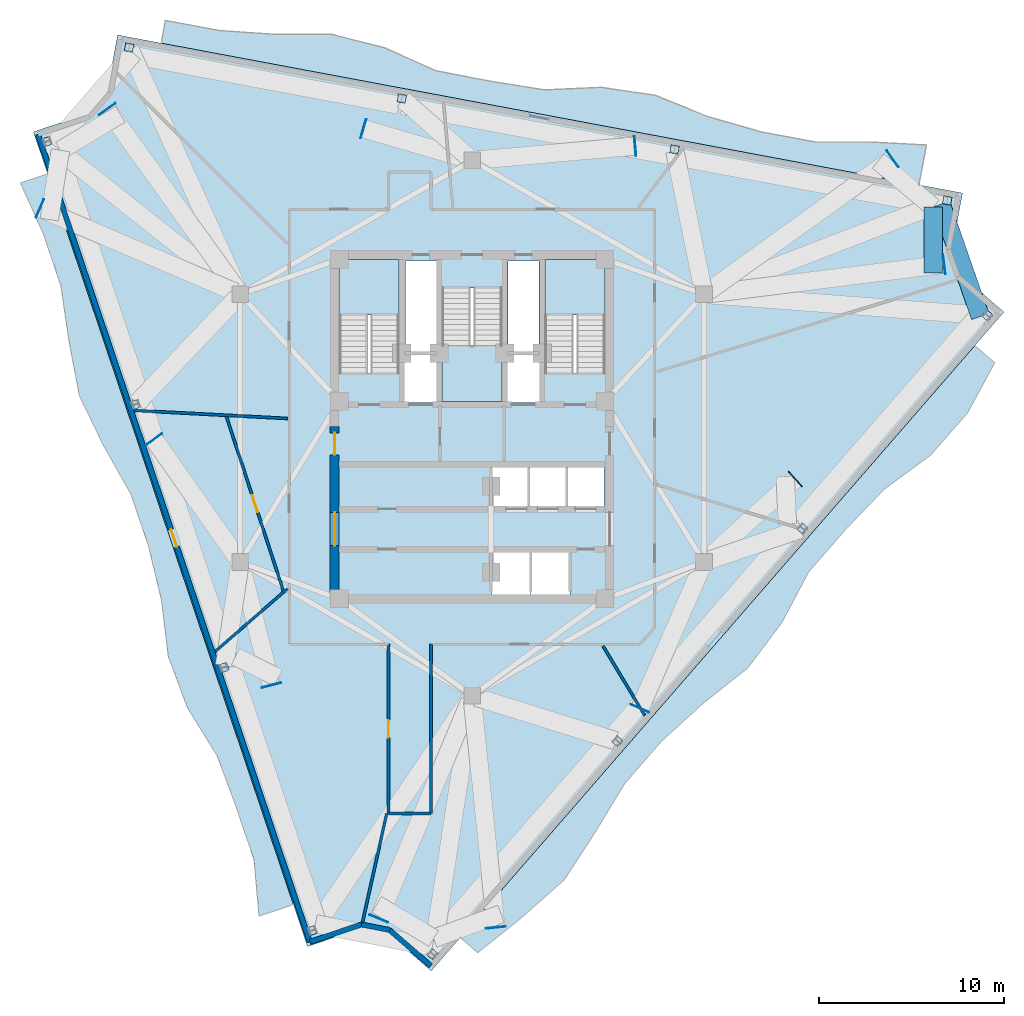
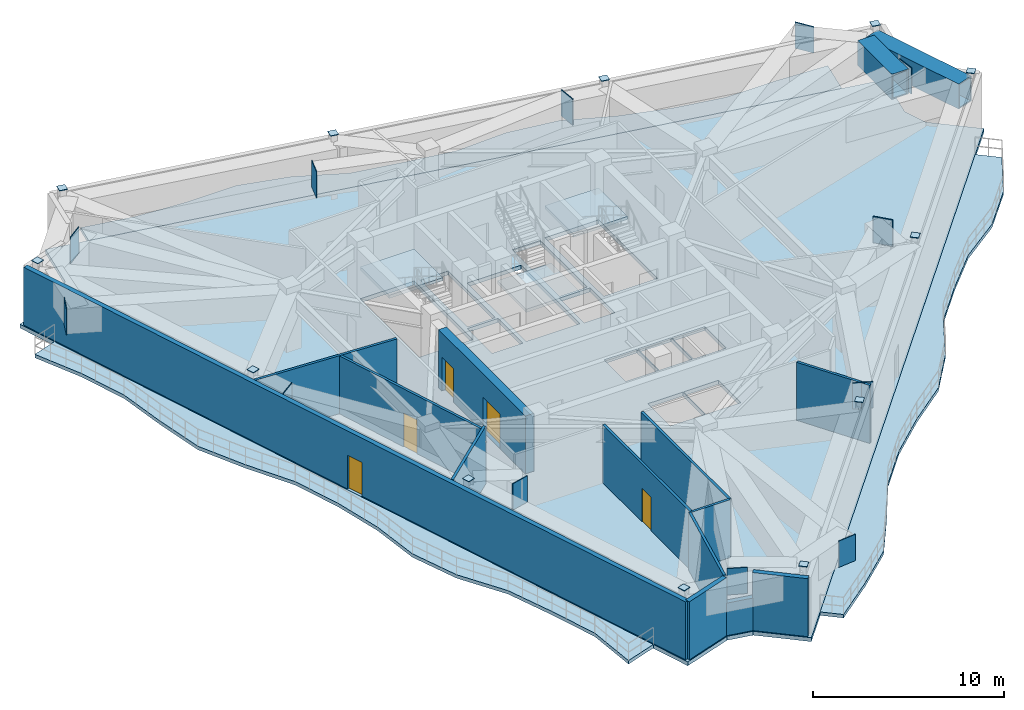
# One storey, part 4 of 10: 24 plates, 13 walls, 7 slabs, 5 doors, 2 beams, 5 openings, 3 elements without a shape of their own.
"""IFC4 building model written with IfcOpenShell, lengths in metres."""

from ifc_helpers import new_model, si_unit, direction, frame, frame_2d, origin, origin_2d, place, context, subcontext, project, spatial, polyline, rectangle, hollow_rectangle, outline, extrude, material, layer, layer_set, material_profile, profile_set, type_object, element, fill, aggregate, save


model = new_model("IFC4")

# Units and contexts
model_context = context("Model", 3, precision=1e-05, world=origin(), true_north=direction((0.0, 1.0)))
body_context = subcontext(model_context, "Body", "Model", "MODEL_VIEW")
ifc_project = project(units=[si_unit("LENGTHUNIT", "METRE"), si_unit("AREAUNIT", "SQUARE_METRE"), si_unit("VOLUMEUNIT", "CUBIC_METRE"), si_unit("PLANEANGLEUNIT", "RADIAN"), si_unit("MASSUNIT", "GRAM", prefix="KILO")], contexts=[model_context])

# Site, building, storey
site_placement = place(None, origin())
site = spatial("IfcSite", under=ifc_project, at=site_placement, CompositionType="ELEMENT")
building_placement = place(site_placement, origin())
building = spatial("IfcBuilding", under=site, at=building_placement, Name="Apsidion Concourse Tower", CompositionType="ELEMENT")
storey_placement = place(building_placement, frame((0.0, 0.0, 290.10009765625)))
storey = spatial("IfcBuildingStorey", under=building, at=storey_placement, Name="L68", CompositionType="ELEMENT", Elevation=290.10009765625)

# Beams
ifc_material_1 = material(Name="Structural steel ASTM A572 Grade 50", Category="steel")
ifc_material_profile = material_profile(ifc_material_1, hollow_rectangle(XDim=1.0, YDim=1.60009765625, WallThickness=0.074951171875, at=origin_2d()), Name="BOX1600X1000X75")
ifc_profile_set = profile_set([ifc_material_profile], Name="Structural steel ASTM A572 Grade 50")
beam_type = type_object("IfcBeamType", Name="BM-TR-1600", PredefinedType="USERDEFINED", material=ifc_profile_set)
beam_1_placement = place(storey_placement, frame((27.529296875, 6.04150390625, 2.89990234375), z_axis=(-0.329007546372, 0.944327292007, 0.0), x_axis=(-0.944327292007, -0.329007546372, 0.0)))
element("IfcBeam", 1, at=beam_1_placement, inside=storey, type_object=beam_type, Name="L68 Perimeter Spandrel Girder SP-08", ObjectType="GIRDER", PredefinedType="USERDEFINED", context=body_context, shape_type="SweptSolid", body=[
    extrude(hollow_rectangle(XDim=1.0, YDim=1.60009765625, WallThickness=0.074951171875, at=origin_2d()), origin(), (0.0, 0.0, 1.0), 6.455810546875),
])
beam_2_placement = place(storey_placement, frame((24.97119140625, 11.97119140625, 2.89990234375), z_axis=(0.000546896281, -0.999999850452, 0.0), x_axis=(0.999999850452, 0.000546896281, 0.0)))
element("IfcBeam", 2, at=beam_2_placement, inside=storey, type_object=beam_type, Name="L68 Block-Step Perimeter Transfer Bridge NBR-08", ObjectType="GIRDER", PredefinedType="USERDEFINED", context=body_context, shape_type="SweptSolid", body=[
    extrude(hollow_rectangle(XDim=1.0, YDim=1.60009765625, WallThickness=0.074951171875, at=origin_2d()), origin(), (0.0, 0.0, 1.0), 3.5712890625),
])

# Plates
ifc_layer_1 = layer(ifc_material_1, 0.034912109375)
ifc_layer_set_1 = layer_set([ifc_layer_1], Name="Structural steel ASTM A572 Grade 50")
plate_type = type_object("IfcPlateType", Name="PL-ENDCAP-35", PredefinedType="USERDEFINED", material=ifc_layer_set_1)
for number, where, z_axis, x_axis, name in (
    (3, (-23.00439453125, 15.53125, 4.097900390625), (0.0, 0.0, 1.0), (-0.318628456287, 0.947879690069, 0.0), "L68 Step-Top Column End-Cap Plate PCCAP-PC01"),
    (4, (-18.215087890625, 1.285888671875, 4.097900390625), (0.0, 0.0, 1.0), (-0.318628456287, 0.947879690069, 0.0), "L68 Step-Top Column End-Cap Plate PCCAP-PC02"),
    (5, (-13.42578125, -12.959228515625, 4.097900390625), (0.0, 0.0, 1.0), (-0.318628456287, 0.947879690069, 0.0), "L68 Step-Top Column End-Cap Plate PCCAP-PC03"),
    (6, (-8.636474609375, -27.20458984375, 4.097900390625), (0.0, 0.0, 1.0), (-0.318628456287, 0.947879690069, 0.0), "L68 Step-Top Column End-Cap Plate PCCAP-PC04"),
    (7, (-2.146728515625, -28.490478515625, 4.097900390625), (0.0, 0.0, 1.0), (0.656059028991, 0.754709580223, 0.0), "L68 Step-Top Column End-Cap Plate PCCAP-PC05"),
    (8, (7.87353515625, -16.96337890625, 4.097900390625), (0.0, 0.0, 1.0), (0.656059028991, 0.754709580223, 0.0), "L68 Step-Top Column End-Cap Plate PCCAP-PC06"),
    (9, (17.89404296875, -5.436279296875, 4.097900390625), (0.0, 0.0, 1.0), (0.656059028991, 0.754709580223, 0.0), "L68 Step-Top Column End-Cap Plate PCCAP-PC07"),
    (10, (27.91455078125, 6.091064453125, 4.097900390625), (0.0, 0.0, 1.0), (0.656059028991, 0.754709580223, 0.0), "L68 Step-Top Column End-Cap Plate PCCAP-PC08"),
    (11, (25.73779296875, 12.33837890625, 4.097900390625), (0.0, 0.0, 1.0), (-0.982999500399, 0.183608230249, 0.0), "L68 Step-Top Column End-Cap Plate PCCAP-PC09"),
    (12, (10.964599609375, 15.0986328125, 4.097900390625), (0.0, 0.0, 1.0), (-0.982999500399, 0.183608230249, 0.0), "L68 Step-Top Column End-Cap Plate PCCAP-PC10"),
    (13, (-3.80859375, 17.85888671875, 4.097900390625), (0.0, 0.0, 1.0), (-0.982999500399, 0.183608230249, 0.0), "L68 Step-Top Column End-Cap Plate PCCAP-PC11"),
    (14, (-18.58154296875, 20.619140625, 4.097900390625), (0.0, 0.0, 1.0), (-0.982999500399, 0.183608230249, 0.0), "L68 Step-Top Column End-Cap Plate PCCAP-PC12"),
):
    element("IfcPlate", number, at=place(storey_placement, frame(where, z_axis=z_axis, x_axis=x_axis)), inside=storey, type_object=plate_type, Name=name, ObjectType="FLANGE_PLATE", PredefinedType="USERDEFINED", context=body_context, shape_type="SweptSolid", body=[
        extrude(rectangle(XDim=0.452880859375, YDim=0.452880859375, at=origin_2d()), origin(), (0.0, 0.0, 1.0), 0.0400390625),
    ])
for number, where, z_axis, x_axis, name in (
    (15, (-23.41162109375, 11.903564453125, 2.06005859375), (0.0, 0.0, 1.0), (-0.919066569423, 0.394102322969, 0.0), "L68 Radial Transfer Girder End-Cap Plate NTRCAP-01"),
    (16, (-17.23095703125, -0.60205078125, 2.06005859375), (0.0, 0.0, 1.0), (-0.574862449223, 0.818250062312, 0.0), "L68 Radial Transfer Girder End-Cap Plate NTRCAP-02"),
    (17, (-10.87548828125, -13.921630859375, 2.06005859375), (0.0, 0.0, 1.0), (0.244799751878, -0.969573659647, 0.0), "L68 Radial Transfer Girder End-Cap Plate NTRCAP-03"),
    (18, (-5.0537109375, -26.566162109375, 2.06005859375), (0.0, 0.0, 1.0), (-0.386389029217, -0.922335903075, 0.0), "L68 Radial Transfer Girder End-Cap Plate NTRCAP-04"),
    (19, (1.29150390625, -27.048095703125, 2.06005859375), (0.0, 0.0, 1.0), (0.102445313747, -0.99473863788, 0.0), "L68 Radial Transfer Girder End-Cap Plate NTRCAP-05"),
    (20, (9.091552734375, -15.180908203125, 2.06005859375), (0.0, 0.0, 1.0), (-0.400668879095, -0.916222925562, 0.0), "L68 Radial Transfer Girder End-Cap Plate NTRCAP-06"),
    (21, (17.49609375, -2.758056640625, 2.06005859375), (0.0, 0.0, 1.0), (0.739631094979, 0.67301251351, 0.0), "L68 Radial Transfer Girder End-Cap Plate NTRCAP-07"),
    (22, (25.57421875, 8.878173828125, 2.06005859375), (0.0, 0.0, 1.0), (0.99226708428, 0.124121043561, 0.0), "L68 Radial Transfer Girder End-Cap Plate NTRCAP-08"),
    (23, (22.77587890625, 14.593505859375, 2.06005859375), (0.0, 0.0, 1.0), (0.811981667369, 0.583682937781, 0.0), "L68 Radial Transfer Girder End-Cap Plate NTRCAP-09"),
    (24, (8.8359375, 15.281005859375, 2.06005859375), (0.0, 0.0, 1.0), (0.996118261045, 0.088025053325, 0.0), "L68 Radial Transfer Girder End-Cap Plate NTRCAP-10"),
    (25, (-5.891357421875, 16.2216796875, 2.06005859375), (0.0, 0.0, 1.0), (-0.959854262938, 0.280499187022, 0.0), "L68 Radial Transfer Girder End-Cap Plate NTRCAP-11"),
    (26, (-19.76025390625, 17.287353515625, 2.06005859375), (0.0, 0.0, 1.0), (-0.582832312683, 0.812592453382, 0.0), "L68 Radial Transfer Girder End-Cap Plate NTRCAP-12"),
):
    element("IfcPlate", number, at=place(storey_placement, frame(where, z_axis=z_axis, x_axis=x_axis)), inside=storey, type_object=plate_type, Name=name, ObjectType="FLANGE_PLATE", PredefinedType="USERDEFINED", context=body_context, shape_type="SweptSolid", body=[
        extrude(rectangle(XDim=0.044921875, YDim=1.080078125, at=origin_2d()), origin(), (0.0, 0.0, 1.0), 1.679931640625),
    ])

# Slabs
ifc_material_2 = material(Name="Concrete C50/60", Category="concrete")
ifc_layer_2 = layer(ifc_material_2, 0.219970703125)
ifc_layer_set_2 = layer_set([ifc_layer_2], Name="Concrete C50/60")
slab_type_1 = type_object("IfcSlabType", Name="SL-BAL-220", PredefinedType="FLOOR", material=ifc_layer_set_2)
slab_1_placement = place(storey_placement, frame((0.0, 0.0, -0.22021484375)))
element("IfcSlab", 27, at=slab_1_placement, inside=storey, type_object=slab_type_1, Name="L68 Face 1 Rippling Balcony Slab", PredefinedType="FLOOR", context=body_context, shape_type="SweptSolid", body=[
    extrude(outline(polyline([(-22.99951171875, 13.775390625), (-22.048095703125, 10.947998046875), (-21.096923828125, 8.12060546875), (-20.1455078125, 5.29345703125), (-19.1943359375, 2.466064453125), (-18.242919921875, -0.361083984375), (-17.291748046875, -3.1884765625), (-16.340576171875, -6.015869140625), (-15.38916015625, -8.843017578125), (-14.43798828125, -11.67041015625), (-13.486572265625, -14.49755859375), (-12.535400390625, -17.324951171875), (-11.583984375, -20.152099609375), (-10.6328125, -22.9794921875), (-9.681396484375, -25.806884765625), (-11.543701171875, -26.433349609375), (-11.817626953125, -23.378173828125), (-12.768798828125, -20.55078125), (-13.810791015625, -17.754150390625), (-15.419189453125, -15.14794921875), (-16.4609375, -12.35107421875), (-16.825439453125, -9.326416015625), (-17.525146484375, -6.414306640625), (-18.4765625, -3.587158203125), (-19.966796875, -0.941162109375), (-21.279296875, 1.7646484375), (-21.839111328125, 4.7236328125), (-22.281494140625, 7.72216796875), (-23.23291015625, 10.54931640625), (-24.468505859375, 13.281005859375), (-22.99951171875, 13.775390625)])), origin(), (0.0, 0.0, 1.0), 0.22021484375),
])
slab_2_placement = place(storey_placement, frame((0.0, 0.0, -0.22021484375)))
element("IfcSlab", 28, at=slab_2_placement, inside=storey, type_object=slab_type_1, Name="L68 Face 2 Rippling Balcony Slab", PredefinedType="FLOOR", context=body_context, shape_type="SweptSolid", body=[
    extrude(outline(polyline([(-0.6416015625, -27.59716796875), (1.35009765625, -25.30615234375), (3.341552734375, -23.01513671875), (5.3330078125, -20.724365234375), (7.324462890625, -18.433349609375), (9.31591796875, -16.142333984375), (11.307373046875, -13.8515625), (13.298828125, -11.560546875), (15.290283203125, -9.26953125), (17.281982421875, -6.978759765625), (19.273193359375, -4.687744140625), (21.264892578125, -2.396728515625), (23.25634765625, -0.10595703125), (25.247802734375, 2.18505859375), (27.2392578125, 4.47607421875), (28.31396484375, 3.5419921875), (26.82958984375, 0.81005859375), (24.825927734375, -1.47021484375), (22.318359375, -3.3125), (20.216796875, -5.5078125), (18.22509765625, -7.798828125), (16.766357421875, -10.552490234375), (14.93798828125, -12.985595703125), (12.518310546875, -14.904052734375), (10.25927734375, -16.96240234375), (8.267822265625, -19.25341796875), (6.67138671875, -21.8876953125), (5.001708984375, -24.45849609375), (2.7138671875, -26.49169921875), (0.302001953125, -28.417236328125), (-0.6416015625, -27.59716796875)])), origin(), (0.0, 0.0, 1.0), 0.22021484375),
])
slab_3_placement = place(storey_placement, frame((0.0, 0.0, -0.22021484375)))
element("IfcSlab", 29, at=slab_3_placement, inside=storey, type_object=slab_type_1, Name="L68 Face 3 Rippling Balcony Slab", PredefinedType="FLOOR", context=body_context, shape_type="SweptSolid", body=[
    extrude(outline(polyline([(24.208251953125, 13.178955078125), (21.276123046875, 13.7275390625), (18.343994140625, 14.27587890625), (15.41162109375, 14.824462890625), (12.4794921875, 15.373046875), (9.54736328125, 15.921630859375), (6.615234375, 16.47021484375), (3.68310546875, 17.018798828125), (0.750732421875, 17.567138671875), (-2.181396484375, 18.11572265625), (-5.113525390625, 18.664306640625), (-8.045654296875, 19.212890625), (-10.977783203125, 19.761474609375), (-13.91015625, 20.309814453125), (-16.84228515625, 20.8583984375), (-16.6123046875, 22.087158203125), (-13.68017578125, 21.53857421875), (-10.683349609375, 21.3359375), (-7.647216796875, 21.343017578125), (-4.749755859375, 20.608642578125), (-1.948486328125, 19.35986328125), (0.980712890625, 18.7958984375), (3.927490234375, 18.325439453125), (6.988037109375, 18.463134765625), (9.941162109375, 18.027099609375), (12.761474609375, 16.879638671875), (15.6416015625, 16.05322265625), (18.57373046875, 15.504638671875), (21.607421875, 15.49951171875), (24.61279296875, 15.34130859375), (24.208251953125, 13.178955078125)])), origin(), (0.0, 0.0, 1.0), 0.22021484375),
])
ifc_layer_3 = layer(ifc_material_2, 0.25)
ifc_layer_set_3 = layer_set([ifc_layer_3], Name="Concrete C50/60")
slab_type_2 = type_object("IfcSlabType", Name="SL-FLR-250", PredefinedType="FLOOR", material=ifc_layer_set_3)
slab_4_placement = place(storey_placement, frame((0.0, 0.0, -0.25)))
element("IfcSlab", 30, at=slab_4_placement, inside=storey, type_object=slab_type_2, Name="L68 Structural Floor Slab", PredefinedType="FLOOR", context=body_context, shape_type="SweptSolid", body=[
    extrude(outline(polyline([(-19.201416015625, 21.2998046875), (-19.771484375, 18.251220703125), (-20.825439453125, 17.0390625), (-23.764892578125, 16.050048828125), (-8.916015625, -28.08154296875), (-5.976806640625, -27.092529296875), (-4.556640625, -27.373779296875), (-2.216064453125, -29.408447265625), (28.813720703125, 6.287353515625), (26.47314453125, 8.322021484375), (25.9970703125, 9.689208984375), (26.5673828125, 12.737548828125), (-19.201416015625, 21.2998046875)]), holes=[polyline([(-3.949951171875, 3.0), (-3.949951171875, 9.14990234375), (-7.199951171875, 9.14990234375), (-7.199951171875, 3.0), (-3.949951171875, 3.0)]), polyline([(7.199951171875, 3.0), (7.199951171875, 9.14990234375), (3.949951171875, 9.14990234375), (3.949951171875, 3.0), (7.199951171875, 3.0)]), polyline([(-1.625, 7.60009765625), (-1.625, 1.449951171875), (1.625, 1.449951171875), (1.625, 7.60009765625), (-1.625, 7.60009765625)]), polyline([(1.054931640625, -4.300048828125), (3.044921875, -4.300048828125), (3.044921875, -2.050048828125), (1.054931640625, -2.050048828125), (1.054931640625, -4.300048828125)]), polyline([(3.10498046875, -4.300048828125), (5.094970703125, -4.300048828125), (5.094970703125, -2.050048828125), (3.10498046875, -2.050048828125), (3.10498046875, -4.300048828125)]), polyline([(5.155029296875, -4.300048828125), (7.14501953125, -4.300048828125), (7.14501953125, -2.050048828125), (5.155029296875, -2.050048828125), (5.155029296875, -4.300048828125)]), polyline([(1.044921875, -9.0), (3.155029296875, -9.0), (3.155029296875, -6.64990234375), (1.044921875, -6.64990234375), (1.044921875, -9.0)]), polyline([(3.195068359375, -9.0), (5.304931640625, -9.0), (5.304931640625, -6.64990234375), (3.195068359375, -6.64990234375), (3.195068359375, -9.0)]), polyline([(-3.7099609375, 1.39990234375), (-1.85009765625, 1.39990234375), (-1.85009765625, 4.0), (-3.7099609375, 4.0), (-3.7099609375, 1.39990234375)]), polyline([(1.85009765625, 1.39990234375), (3.7099609375, 1.39990234375), (3.7099609375, 4.0), (1.85009765625, 4.0), (1.85009765625, 1.39990234375)]), polyline([(-3.6201171875, 4.14990234375), (-1.93994140625, 4.14990234375), (-1.93994140625, 9.050048828125), (-3.6201171875, 9.050048828125), (-3.6201171875, 4.14990234375)]), polyline([(1.93994140625, 4.14990234375), (3.6201171875, 4.14990234375), (3.6201171875, 9.050048828125), (1.93994140625, 9.050048828125), (1.93994140625, 4.14990234375)])]), origin(), (0.0, 0.0, 1.0), 0.25),
])

# Stair, slab
ifc_material_3 = material(Name="Precast concrete C40/50", Category="concrete")
stair_type = type_object("IfcStairType", Name="ST-DL-1550", PredefinedType="HALF_TURN_STAIR", material=ifc_material_3)
stair_1_placement = place(storey_placement, origin())
stair_1 = element("IfcStair", 31, at=stair_1_placement, inside=storey, type_object=stair_type, Name="L68 Protected Core Exit Stair ST1", PredefinedType="HALF_TURN_STAIR")
ifc_layer_4 = layer(ifc_material_2, 0.199951171875)
ifc_layer_set_4 = layer_set([ifc_layer_4], Name="Concrete C50/60")
slab_type_3 = type_object("IfcSlabType", Name="SL-ST-LAND-200", PredefinedType="LANDING", material=ifc_layer_set_4)
slab_5_placement = place(storey_placement, frame((0.0, 0.0, 1.849853515625)))
slab_5 = element("IfcSlab", 32, at=slab_5_placement, type_object=slab_type_3, Name="ST1 landing 1", PredefinedType="LANDING", context=body_context, shape_type="SweptSolid", body=[
    extrude(outline(polyline([(-3.949951171875, 6.135009765625), (-3.949951171875, 9.14990234375), (-7.199951171875, 9.14990234375), (-7.199951171875, 6.135009765625), (-3.949951171875, 6.135009765625)])), origin(), (0.0, 0.0, 1.0), 0.199951171875),
])
aggregate(stair_1, [slab_5])

stair_2_placement = place(storey_placement, origin())
stair_2 = element("IfcStair", 33, at=stair_2_placement, inside=storey, type_object=stair_type, Name="L68 Protected Core Exit Stair ST2", PredefinedType="HALF_TURN_STAIR")
slab_6_placement = place(storey_placement, frame((0.0, 0.0, 1.849853515625)))
slab_6 = element("IfcSlab", 34, at=slab_6_placement, type_object=slab_type_3, Name="ST2 landing 1", PredefinedType="LANDING", context=body_context, shape_type="SweptSolid", body=[
    extrude(outline(polyline([(7.199951171875, 6.135009765625), (7.199951171875, 9.14990234375), (3.949951171875, 9.14990234375), (3.949951171875, 6.135009765625), (7.199951171875, 6.135009765625)])), origin(), (0.0, 0.0, 1.0), 0.199951171875),
])
aggregate(stair_2, [slab_6])

stair_3_placement = place(storey_placement, origin())
stair_3 = element("IfcStair", 35, at=stair_3_placement, inside=storey, type_object=stair_type, Name="L68 Protected Core Exit Stair ST3", PredefinedType="HALF_TURN_STAIR")
slab_7_placement = place(storey_placement, frame((0.0, 0.0, 1.849853515625)))
slab_7 = element("IfcSlab", 36, at=slab_7_placement, type_object=slab_type_3, Name="ST3 landing 1", PredefinedType="LANDING", context=body_context, shape_type="SweptSolid", body=[
    extrude(outline(polyline([(-1.625, 4.465087890625), (-1.625, 1.449951171875), (1.625, 1.449951171875), (1.625, 4.465087890625), (-1.625, 4.465087890625)])), origin(), (0.0, 0.0, 1.0), 0.199951171875),
])
aggregate(stair_3, [slab_7])

# Walls
ifc_layer_5 = layer(ifc_material_3, 0.280029296875)
ifc_layer_set_5 = layer_set([ifc_layer_5], Name="Precast concrete C40/50")
wall_type_1 = type_object("IfcWallType", Name="WL-EXT-280", PredefinedType="STANDARD", material=ifc_layer_set_5)
wall_1_placement = place(storey_placement, frame((-2.235595703125, -29.126220703125, 0.0), z_axis=(0.0, 0.0, 1.0), x_axis=(-0.754753154029, 0.656008899698, 0.0)))
element("IfcWall", 37, at=wall_1_placement, inside=storey, type_object=wall_type_1, Name="L68 Precast Stone Facade Wall 06", PredefinedType="STANDARD", context=body_context, shape_type="SweptSolid", body=[
    extrude(rectangle(XDim=2.95458984375, YDim=0.280029296875, at=frame_2d((1.477294921875, 0.0))), origin(), (0.0, 0.0, 1.0), 3.699951171875),
])
wall_2_placement = place(storey_placement, frame((-4.465576171875, -27.18798828125, 0.0), z_axis=(0.0, 0.0, 1.0), x_axis=(-0.980935552899, 0.194333324621, 0.0)))
element("IfcWall", 38, at=wall_2_placement, inside=storey, type_object=wall_type_1, Name="L68 Precast Stone Facade Wall 07", PredefinedType="STANDARD", context=body_context, shape_type="SweptSolid", body=[
    extrude(rectangle(XDim=1.553955078125, YDim=0.280029296875, at=frame_2d((0.77685546875, 0.0))), origin(), (0.0, 0.0, 1.0), 2.079833984375),
])
wall_3_placement = place(storey_placement, frame((-5.989990234375, -26.885986328125, 0.0), z_axis=(0.0, 0.0, 1.0), x_axis=(-0.947795421507, -0.318879035013, 0.0)))
element("IfcWall", 39, at=wall_3_placement, inside=storey, type_object=wall_type_1, Name="L68 Precast Stone Facade Wall 08", PredefinedType="STANDARD", context=body_context, shape_type="SweptSolid", body=[
    extrude(rectangle(XDim=2.95458984375, YDim=0.280029296875, at=frame_2d((1.477294921875, 0.0))), origin(), (0.0, 0.0, 1.0), 3.699951171875),
])

# Wall, opening, door
wall_4_placement = place(storey_placement, frame((-8.790283203125, -27.828125, 0.0), z_axis=(0.0, 0.0, 1.0), x_axis=(-0.318898365887, 0.947788917552, 0.0)))
wall_4 = element("IfcWall", 40, at=wall_4_placement, inside=storey, type_object=wall_type_1, Name="L68 Precast Stone Facade Wall 09", PredefinedType="STANDARD", context=body_context, shape_type="SweptSolid", body=[
    extrude(rectangle(XDim=46.16259765625, YDim=0.280029296875, at=frame_2d((23.081298828125, 0.0))), origin(), (0.0, 0.0, 1.0), 3.699951171875),
])
opening_1_placement = place(wall_4_placement, frame((22.581298828125, 0.0, 0.0)))
opening_1 = element("IfcOpeningElement", 41, at=opening_1_placement, cuts=wall_4, Name="Opening D-T1L", PredefinedType="OPENING", context=body_context, shape_type="SweptSolid", body=[
    extrude(rectangle(XDim=1.0, YDim=2.14990234375, at=frame_2d((0.5, 1.074951171875))), frame((0.0, 0.14990234375, 0.0), z_axis=(0.0, -1.0, 0.0), x_axis=(1.0, 0.0, 0.0)), (0.0, 0.0, 1.0), 0.300048828125),
])
ifc_material_4 = material(Name="Anodised aluminium EN AW-6063 T6", Category="aluminium")
door_type_1 = type_object("IfcDoorType", Name="DR-TER-1022L", OperationType="SINGLE_SWING_LEFT", PredefinedType="DOOR", material=ifc_material_4)
door_1_placement = place(opening_1_placement, origin())
door_1 = element("IfcDoor", 42, at=door_1_placement, inside=storey, type_object=door_type_1, Name="L68 Balcony Access Door 1", OperationType="SINGLE_SWING_LEFT", OverallHeight=2.14990234375, OverallWidth=1.0, PredefinedType="DOOR", context=body_context, shape_type="SweptSolid", body=[
    extrude(rectangle(XDim=1.0, YDim=2.14990234375, at=frame_2d((0.5, 1.074951171875))), frame((0.0, 0.02490234375, 0.0), z_axis=(0.0, -1.0, 0.0), x_axis=(1.0, 0.0, 0.0)), (0.0, 0.0, 1.0), 0.050048828125),
])
fill(opening_1, door_1)

# Walls
ifc_material_5 = material(Name="Gypsum plasterboard partition")
ifc_layer_6 = layer(ifc_material_5, 0.14990234375)
ifc_layer_set_6 = layer_set([ifc_layer_6], Name="Gypsum plasterboard partition")
wall_type_2 = type_object("IfcWallType", Name="WL-INT-PAR-150", PredefinedType="PARTITIONING", material=ifc_layer_set_6)
wall_5_placement = place(storey_placement, frame((-2.219970703125, -11.699951171875, 0.0), z_axis=(0.0, 0.0, 1.0), x_axis=(0.0, -1.0, 0.0)))
element("IfcWall", 43, at=wall_5_placement, inside=storey, type_object=wall_type_2, Name="L68 Interior Partition WL-L68-CORR-11", PredefinedType="PARTITIONING", context=body_context, shape_type="SweptSolid", body=[
    extrude(rectangle(XDim=9.179931640625, YDim=0.14990234375, at=frame_2d((4.58984375, 0.0))), origin(), (0.0, 0.0, 1.0), 3.699951171875),
])
wall_6_placement = place(storey_placement, frame((-2.219970703125, -20.8798828125, 0.0), z_axis=(0.0, 0.0, 1.0), x_axis=(-1.0, 0.0, 0.0)))
element("IfcWall", 44, at=wall_6_placement, inside=storey, type_object=wall_type_2, Name="L68 Interior Partition WL-L68-CORR-12", PredefinedType="PARTITIONING", context=body_context, shape_type="SweptSolid", body=[
    extrude(rectangle(XDim=2.31005859375, YDim=0.14990234375, at=frame_2d((1.155029296875, 0.0))), origin(), (0.0, 0.0, 1.0), 3.699951171875),
])

# Wall, opening, door
wall_7_placement = place(storey_placement, frame((-4.530029296875, -20.8798828125, 0.0), z_axis=(0.0, 0.0, 1.0), x_axis=(0.0, 1.0, 0.0)))
wall_7 = element("IfcWall", 45, at=wall_7_placement, inside=storey, type_object=wall_type_2, Name="L68 Interior Partition WL-L68-CORR-13", PredefinedType="PARTITIONING", context=body_context, shape_type="SweptSolid", body=[
    extrude(rectangle(XDim=9.179931640625, YDim=0.14990234375, at=frame_2d((4.58984375, 0.0))), origin(), (0.0, 0.0, 1.0), 3.699951171875),
])
opening_2_placement = place(wall_7_placement, frame((4.114990234375, 0.0, 0.0)))
opening_2 = element("IfcOpeningElement", 46, at=opening_2_placement, cuts=wall_7, Name="Opening D-01R", PredefinedType="OPENING", context=body_context, shape_type="SweptSolid", body=[
    extrude(rectangle(XDim=0.949951171875, YDim=2.14990234375, at=frame_2d((0.47509765625, 1.074951171875))), frame((0.0, 0.0849609375, 0.0), z_axis=(0.0, -1.0, 0.0), x_axis=(1.0, 0.0, 0.0)), (0.0, 0.0, 1.0), 0.169921875),
])
ifc_material_6 = material(Name="Brushed stainless steel 316", Category="steel")
door_type_2 = type_object("IfcDoorType", Name="DR-INT-D01R", OperationType="SINGLE_SWING_RIGHT", PredefinedType="DOOR", material=ifc_material_6)
door_2_placement = place(opening_2_placement, origin())
door_2 = element("IfcDoor", 47, at=door_2_placement, inside=storey, type_object=door_type_2, Name="L68 Corridor Entry Door 02", OperationType="SINGLE_SWING_RIGHT", OverallHeight=2.14990234375, OverallWidth=0.949951171875, PredefinedType="DOOR", context=body_context, shape_type="SweptSolid", body=[
    extrude(rectangle(XDim=0.949951171875, YDim=2.14990234375, at=frame_2d((0.47509765625, 1.074951171875))), frame((0.0, 0.02490234375, 0.0), z_axis=(0.0, -1.0, 0.0), x_axis=(1.0, 0.0, 0.0)), (0.0, 0.0, 1.0), 0.050048828125),
])
fill(opening_2, door_2)

# Walls
wall_8_placement = place(storey_placement, frame((-10.0048828125, 0.5244140625, 0.0), z_axis=(0.0, 0.0, 1.0), x_axis=(-0.998630204495, 0.052323175275, 0.0)))
element("IfcWall", 48, at=wall_8_placement, inside=storey, type_object=wall_type_2, Name="L68 Interior Partition WL-L68-RAD-05-1", PredefinedType="PARTITIONING", context=body_context, shape_type="SweptSolid", body=[
    extrude(rectangle(XDim=8.319580078125, YDim=0.14990234375, at=frame_2d((4.15966796875, 0.0))), origin(), (0.0, 0.0, 1.0), 3.699951171875),
])
wall_9_placement = place(storey_placement, frame((-10.0048828125, -8.697265625, 0.0), z_axis=(0.0, 0.0, 1.0), x_axis=(-0.754719019768, -0.656048169878, 0.0)))
element("IfcWall", 49, at=wall_9_placement, inside=storey, type_object=wall_type_2, Name="L68 Interior Partition WL-L68-RAD-06-1", PredefinedType="PARTITIONING", context=body_context, shape_type="SweptSolid", body=[
    extrude(rectangle(XDim=5.18603515625, YDim=0.14990234375, at=frame_2d((2.593017578125, 0.0))), origin(), (0.0, 0.0, 1.0), 3.699951171875),
])
wall_10_placement = place(storey_placement, frame((-4.62890625, -20.8798828125, 0.0), z_axis=(0.0, 0.0, 1.0), x_axis=(-0.21645672236, -0.976292214117, 0.0)))
element("IfcWall", 50, at=wall_10_placement, inside=storey, type_object=wall_type_2, Name="L68 Interior Partition WL-L68-RAD-07-1", PredefinedType="PARTITIONING", context=body_context, shape_type="SweptSolid", body=[
    extrude(rectangle(XDim=6.002685546875, YDim=0.14990234375, at=frame_2d((3.00146484375, 0.0))), origin(), (0.0, 0.0, 1.0), 3.699951171875),
])
wall_11_placement = place(storey_placement, frame((7.09326171875, -11.804931640625, 0.0), z_axis=(0.0, 0.0, 1.0), x_axis=(0.514995377256, -0.857192954594, 0.0)))
element("IfcWall", 51, at=wall_11_placement, inside=storey, type_object=wall_type_2, Name="L68 Interior Partition WL-L68-RAD-08-1", PredefinedType="PARTITIONING", context=body_context, shape_type="SweptSolid", body=[
    extrude(rectangle(XDim=4.3828125, YDim=0.14990234375, at=frame_2d((2.19140625, 0.0))), origin(), (0.0, 0.0, 1.0), 3.699951171875),
])

# Wall, opening, door
wall_12_placement = place(storey_placement, frame((-13.321533203125, 0.673095703125, 0.0), z_axis=(0.0, 0.0, 1.0), x_axis=(0.31038469489, -0.950611035691, 0.0)))
wall_12 = element("IfcWall", 52, at=wall_12_placement, inside=storey, type_object=wall_type_2, Name="L68 Interior Partition WL-L68-CHD-OFWC", PredefinedType="PARTITIONING", context=body_context, shape_type="SweptSolid", body=[
    extrude(rectangle(XDim=10.01318359375, YDim=0.14990234375, at=frame_2d((5.006591796875, 0.0))), origin(), (0.0, 0.0, 1.0), 3.699951171875),
])
opening_3_placement = place(wall_12_placement, frame((4.531494140625, 0.0, 0.0)))
opening_3 = element("IfcOpeningElement", 53, at=opening_3_placement, cuts=wall_12, Name="Opening D-04L", PredefinedType="OPENING", context=body_context, shape_type="SweptSolid", body=[
    extrude(rectangle(XDim=0.949951171875, YDim=2.14990234375, at=frame_2d((0.47509765625, 1.074951171875))), frame((0.0, 0.0849609375, 0.0), z_axis=(0.0, -1.0, 0.0), x_axis=(1.0, 0.0, 0.0)), (0.0, 0.0, 1.0), 0.169921875),
])
door_type_3 = type_object("IfcDoorType", Name="DR-INT-D04L", OperationType="SINGLE_SWING_LEFT", PredefinedType="DOOR", material=ifc_material_6)
door_3_placement = place(opening_3_placement, origin())
door_3 = element("IfcDoor", 54, at=door_3_placement, inside=storey, type_object=door_type_3, Name="L68 Suite Connecting Door OFWC", OperationType="SINGLE_SWING_LEFT", OverallHeight=2.14990234375, OverallWidth=0.949951171875, PredefinedType="DOOR", context=body_context, shape_type="SweptSolid", body=[
    extrude(rectangle(XDim=0.949951171875, YDim=2.14990234375, at=frame_2d((0.47509765625, 1.074951171875))), frame((0.0, 0.02490234375, 0.0), z_axis=(0.0, -1.0, 0.0), x_axis=(1.0, 0.0, 0.0)), (0.0, 0.0, 1.0), 0.050048828125),
])
fill(opening_3, door_3)

# Wall, openings, doors
ifc_layer_7 = layer(ifc_material_2, 0.5)
ifc_layer_set_7 = layer_set([ifc_layer_7], Name="Concrete C50/60")
wall_type_3 = type_object("IfcWallType", Name="WL-SH-500", PredefinedType="SHEAR", material=ifc_layer_set_7)
wall_13_placement = place(storey_placement, frame((-7.449951171875, -9.0, 0.0), z_axis=(0.0, 0.0, 1.0), x_axis=(0.0, 1.0, 0.0)))
wall_13 = element("IfcWall", 55, at=wall_13_placement, inside=storey, type_object=wall_type_3, Name="L68 Central Core Shear Wall WS", PredefinedType="SHEAR", context=body_context, shape_type="SweptSolid", body=[
    extrude(rectangle(XDim=9.10009765625, YDim=0.5, at=frame_2d((4.550048828125, 0.0))), origin(), (0.0, 0.0, 1.0), 3.699951171875),
])
opening_4_placement = place(wall_13_placement, frame((2.639892578125, 0.0, 0.0)))
opening_4 = element("IfcOpeningElement", 56, at=opening_4_placement, cuts=wall_13, Name="Opening D-06D", PredefinedType="OPENING", context=body_context, shape_type="SweptSolid", body=[
    extrude(rectangle(XDim=1.800048828125, YDim=2.199951171875, at=frame_2d((0.89990234375, 1.10009765625))), frame((0.0, 0.260009765625, 0.0), z_axis=(0.0, -1.0, 0.0), x_axis=(1.0, 0.0, 0.0)), (0.0, 0.0, 1.0), 0.52001953125),
])
opening_5_placement = place(wall_13_placement, frame((7.550048828125, 0.0, 0.0)))
opening_5 = element("IfcOpeningElement", 57, at=opening_5_placement, cuts=wall_13, Name="Opening D-FFL", PredefinedType="OPENING", context=body_context, shape_type="SweptSolid", body=[
    extrude(rectangle(XDim=1.199951171875, YDim=2.14990234375, at=frame_2d((0.60009765625, 1.074951171875))), frame((0.0, 0.260009765625, 0.0), z_axis=(0.0, -1.0, 0.0), x_axis=(1.0, 0.0, 0.0)), (0.0, 0.0, 1.0), 0.52001953125),
])
door_type_4 = type_object("IfcDoorType", Name="DR-INT-D06D", OperationType="DOUBLE_DOOR_SINGLE_SWING", PredefinedType="DOOR", material=ifc_material_6)
door_4_placement = place(opening_4_placement, origin())
door_4 = element("IfcDoor", 58, at=door_4_placement, inside=storey, type_object=door_type_4, Name="L68 Passenger Lift Lobby WS Portal Door", OperationType="DOUBLE_DOOR_SINGLE_SWING", OverallHeight=2.199951171875, OverallWidth=1.800048828125, PredefinedType="DOOR", context=body_context, shape_type="SweptSolid", body=[
    extrude(rectangle(XDim=1.800048828125, YDim=2.199951171875, at=frame_2d((0.89990234375, 1.10009765625))), frame((0.0, 0.02490234375, 0.0), z_axis=(0.0, -1.0, 0.0), x_axis=(1.0, 0.0, 0.0)), (0.0, 0.0, 1.0), 0.050048828125),
])
fill(opening_4, door_4)
door_type_5 = type_object("IfcDoorType", Name="DR-INT-FFL", OperationType="SINGLE_SWING_LEFT", PredefinedType="DOOR", material=ifc_material_6)
door_5_placement = place(opening_5_placement, origin())
door_5 = element("IfcDoor", 59, at=door_5_placement, inside=storey, type_object=door_type_5, Name="L68 Firefighting Lift Lobby FF1 Door", OperationType="SINGLE_SWING_LEFT", OverallHeight=2.14990234375, OverallWidth=1.199951171875, PredefinedType="DOOR", context=body_context, shape_type="SweptSolid", body=[
    extrude(rectangle(XDim=1.199951171875, YDim=2.14990234375, at=frame_2d((0.60009765625, 1.074951171875))), frame((0.0, 0.02490234375, 0.0), z_axis=(0.0, -1.0, 0.0), x_axis=(1.0, 0.0, 0.0)), (0.0, 0.0, 1.0), 0.050048828125),
])
fill(opening_5, door_5)

save(model, "model.ifc")
